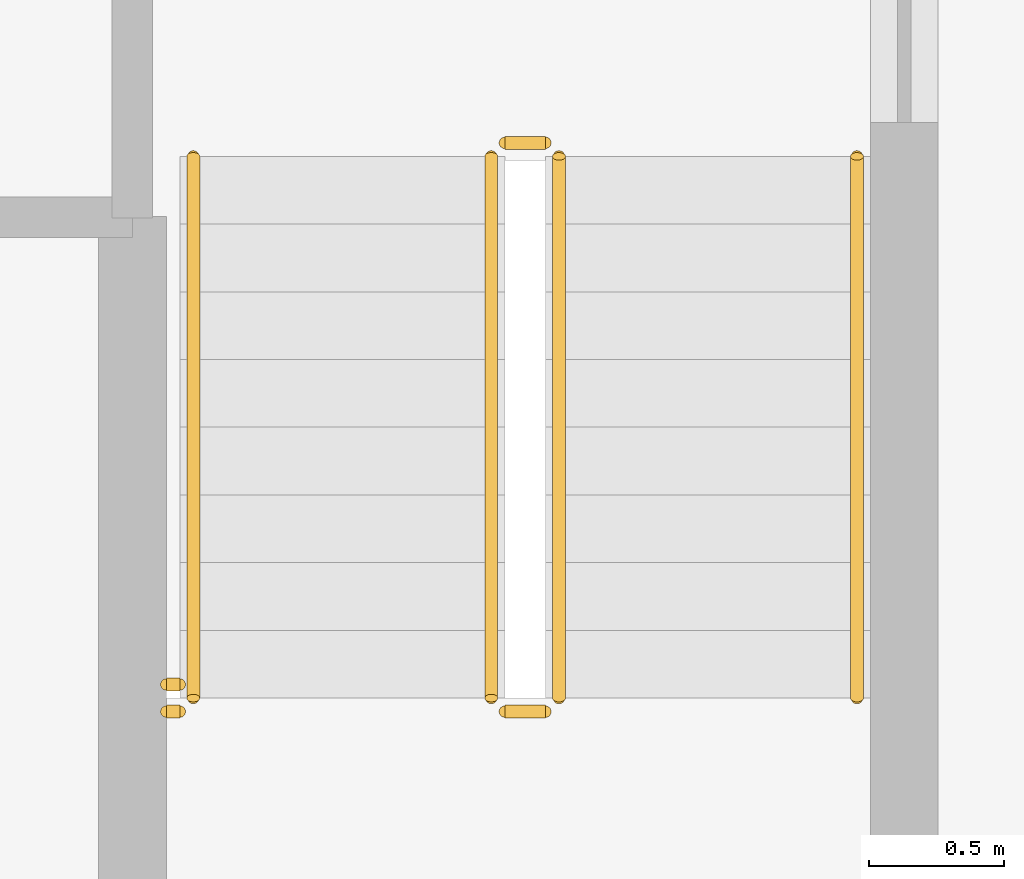
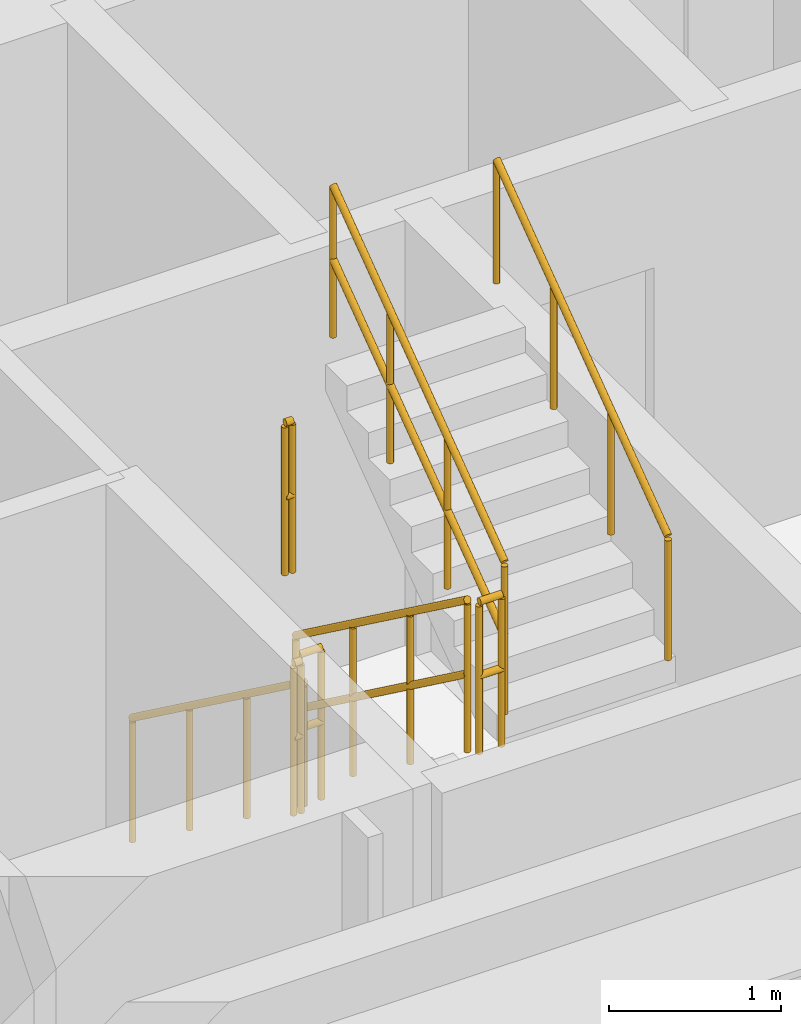
# One storey, part 14 of 16: 8 railings.
"""IFC4 building model written with IfcOpenShell, lengths in metres."""

from ifc_helpers import new_model, si_unit, direction, frame, origin, origin_2d, place, context, subcontext, project, spatial, circle, extrude, material, type_object, element, save


model = new_model("IFC4")

# Units and contexts
model_context = context("Model", 3, precision=1e-05, world=origin(), true_north=direction((0.0, 1.0)))
body_context = subcontext(model_context, "Body", "Model", "MODEL_VIEW")
ifc_project = project(units=[si_unit("LENGTHUNIT", "METRE"), si_unit("AREAUNIT", "SQUARE_METRE"), si_unit("VOLUMEUNIT", "CUBIC_METRE"), si_unit("PLANEANGLEUNIT", "RADIAN"), si_unit("MASSUNIT", "GRAM", prefix="KILO")], contexts=[model_context])

# Site, building, storey
site_placement = place(None, origin())
site = spatial("IfcSite", under=ifc_project, at=site_placement, CompositionType="ELEMENT")
building_placement = place(site_placement, origin())
building = spatial("IfcBuilding", under=site, at=building_placement, Name="Nakaniwa Court", CompositionType="ELEMENT")
storey_placement = place(building_placement, frame((0.0, 0.0, 193.199951171875)))
storey = spatial("IfcBuildingStorey", under=building, at=storey_placement, Name="L50", CompositionType="ELEMENT", Elevation=193.199951171875)

# Railings
ifc_material_1 = material(Name="Black powder coated steel guard", Category="steel")
railing_type_1 = type_object("IfcRailingType", Name="Stair guard 1100", PredefinedType="GUARDRAIL", material=ifc_material_1)
railing_1_placement = place(storey_placement, frame((81.875, 61.824951171875, 0.183349609375)))
element("IfcRailing", 1, at=railing_1_placement, inside=storey, type_object=railing_type_1, Name="L50 ST4 stair guard 1", PredefinedType="GUARDRAIL", context=body_context, shape_type="SweptSolid", body=[
    extrude(circle(Radius=0.02392578125, at=origin_2d()), frame((0.0, 0.0, 1.076171875), z_axis=(0.0, -0.806379959628, 0.591397802423), x_axis=(1.0, 0.0, 0.0)), (0.0, 0.0, 1.0), 2.480224609375),
    extrude(circle(Radius=0.02392578125, at=origin_2d()), frame((0.0, 0.0, 0.550048828125), z_axis=(0.0, -0.806379959628, 0.591397802423), x_axis=(1.0, 0.0, 0.0)), (0.0, 0.0, 1.0), 2.480224609375),
    extrude(circle(Radius=0.02099609375, at=origin_2d()), origin(), (0.0, 0.0, 1.0), 1.052001953125),
    extrude(circle(Radius=0.02099609375, at=origin_2d()), frame((0.0, -0.666748046875, 0.489013671875)), (0.0, 0.0, 1.0), 1.052001953125),
    extrude(circle(Radius=0.02099609375, at=origin_2d()), frame((0.0, -1.333251953125, 0.977783203125)), (0.0, 0.0, 1.0), 1.052001953125),
    extrude(circle(Radius=0.02099609375, at=origin_2d()), frame((0.0, -2.0, 1.466796875)), (0.0, 0.0, 1.0), 1.052001953125),
])
railing_2_placement = place(storey_placement, frame((81.925048828125, 59.77490234375, 1.650146484375)))
element("IfcRailing", 2, at=railing_2_placement, inside=storey, type_object=railing_type_1, Name="L50 ST4 stair guard 2", PredefinedType="GUARDRAIL", context=body_context, shape_type="SweptSolid", body=[
    extrude(circle(Radius=0.02392578125, at=origin_2d()), frame((0.0, 0.0, 1.076171875), z_axis=(1.0, 0.0, 0.0), x_axis=(0.0, 1.0, 0.0)), (0.0, 0.0, 1.0), 0.14990234375),
    extrude(circle(Radius=0.02392578125, at=origin_2d()), frame((0.0, 0.0, 0.550048828125), z_axis=(1.0, 0.0, 0.0), x_axis=(0.0, 1.0, 0.0)), (0.0, 0.0, 1.0), 0.14990234375),
    extrude(circle(Radius=0.02099609375, at=origin_2d()), origin(), (0.0, 0.0, 1.0), 1.052001953125),
    extrude(circle(Radius=0.02099609375, at=origin_2d()), frame((0.14990234375, 0.0, 0.0)), (0.0, 0.0, 1.0), 1.052001953125),
])
railing_3_placement = place(storey_placement, frame((82.125, 59.824951171875, 1.83349609375)))
element("IfcRailing", 3, at=railing_3_placement, inside=storey, type_object=railing_type_1, Name="L50 ST4 stair guard 3", PredefinedType="GUARDRAIL", context=body_context, shape_type="SweptSolid", body=[
    extrude(circle(Radius=0.02392578125, at=origin_2d()), frame((0.0, 0.0, 1.076171875), z_axis=(0.0, 0.806426902644, 0.591333789573), x_axis=(-1.0, 0.0, 0.0)), (0.0, 0.0, 1.0), 2.47998046875),
    extrude(circle(Radius=0.02392578125, at=origin_2d()), frame((0.0, 0.0, 0.550048828125), z_axis=(0.0, 0.806426902644, 0.591333789573), x_axis=(-1.0, 0.0, 0.0)), (0.0, 0.0, 1.0), 2.47998046875),
    extrude(circle(Radius=0.02099609375, at=origin_2d()), origin(), (0.0, 0.0, 1.0), 1.052001953125),
    extrude(circle(Radius=0.02099609375, at=origin_2d()), frame((0.0, 0.666748046875, 0.48876953125)), (0.0, 0.0, 1.0), 1.052001953125),
    extrude(circle(Radius=0.02099609375, at=origin_2d()), frame((0.0, 1.333251953125, 0.977783203125)), (0.0, 0.0, 1.0), 1.052001953125),
    extrude(circle(Radius=0.02099609375, at=origin_2d()), frame((0.0, 2.0, 1.466552734375)), (0.0, 0.0, 1.0), 1.052001953125),
])
railing_4_placement = place(storey_placement, frame((81.925048828125, 61.875, 0.0)))
element("IfcRailing", 4, at=railing_4_placement, inside=storey, type_object=railing_type_1, Name="L50 ST4 stair guard 4", PredefinedType="GUARDRAIL", context=body_context, shape_type="SweptSolid", body=[
    extrude(circle(Radius=0.02392578125, at=origin_2d()), frame((0.0, 0.0, 1.076171875), z_axis=(1.0, 0.0, 0.0), x_axis=(0.0, 1.0, 0.0)), (0.0, 0.0, 1.0), 0.14990234375),
    extrude(circle(Radius=0.02392578125, at=origin_2d()), frame((0.0, 0.0, 0.550048828125), z_axis=(1.0, 0.0, 0.0), x_axis=(0.0, 1.0, 0.0)), (0.0, 0.0, 1.0), 0.14990234375),
    extrude(circle(Radius=0.02099609375, at=origin_2d()), origin(), (0.0, 0.0, 1.0), 1.052001953125),
    extrude(circle(Radius=0.02099609375, at=origin_2d()), frame((0.14990234375, 0.0, 0.0)), (0.0, 0.0, 1.0), 1.052001953125),
])
for number, where, name in (
    (5, (80.675048828125, 59.77490234375, 1.650146484375), "L50 ST4 landing side guard 1W"),
    (6, (80.675048828125, 59.875, 3.300048828125), "L50 ST4 floor edge guard 1W"),
):
    element("IfcRailing", number, at=place(storey_placement, frame(where)), inside=storey, type_object=railing_type_1, Name=name, PredefinedType="GUARDRAIL", context=body_context, shape_type="SweptSolid", body=[
        extrude(circle(Radius=0.02392578125, at=origin_2d()), frame((0.0, 0.0, 1.076171875), z_axis=(1.0, 0.0, 0.0), x_axis=(0.0, 1.0, 0.0)), (0.0, 0.0, 1.0), 0.050048828125),
        extrude(circle(Radius=0.02392578125, at=origin_2d()), frame((0.0, 0.0, 0.550048828125), z_axis=(1.0, 0.0, 0.0), x_axis=(0.0, 1.0, 0.0)), (0.0, 0.0, 1.0), 0.050048828125),
        extrude(circle(Radius=0.02099609375, at=origin_2d()), origin(), (0.0, 0.0, 1.0), 1.052001953125),
        extrude(circle(Radius=0.02099609375, at=origin_2d()), frame((0.050048828125, 0.0, 0.0)), (0.0, 0.0, 1.0), 1.052001953125),
    ])
ifc_material_2 = material(Name="Black powder coated steel handrail", Category="steel")
railing_type_2 = type_object("IfcRailingType", Name="Stair handrail 900", PredefinedType="HANDRAIL", material=ifc_material_2)
railing_5_placement = place(storey_placement, frame((80.77490234375, 61.824951171875, 0.183349609375)))
element("IfcRailing", 7, at=railing_5_placement, inside=storey, type_object=railing_type_2, Name="L50 ST4 stair handrail 1", PredefinedType="HANDRAIL", context=body_context, shape_type="SweptSolid", body=[
    extrude(circle(Radius=0.02392578125, at=origin_2d()), frame((0.0, 0.0, 0.8759765625), z_axis=(0.0, -0.806379959628, 0.591397802423), x_axis=(1.0, 0.0, 0.0)), (0.0, 0.0, 1.0), 2.480224609375),
    extrude(circle(Radius=0.02099609375, at=origin_2d()), origin(), (0.0, 0.0, 1.0), 0.851806640625),
    extrude(circle(Radius=0.02099609375, at=origin_2d()), frame((0.0, -0.666748046875, 0.489013671875)), (0.0, 0.0, 1.0), 0.851806640625),
    extrude(circle(Radius=0.02099609375, at=origin_2d()), frame((0.0, -1.333251953125, 0.977783203125)), (0.0, 0.0, 1.0), 0.851806640625),
    extrude(circle(Radius=0.02099609375, at=origin_2d()), frame((0.0, -2.0, 1.466796875)), (0.0, 0.0, 1.0), 0.851806640625),
])
railing_6_placement = place(storey_placement, frame((83.22509765625, 59.824951171875, 1.83349609375)))
element("IfcRailing", 8, at=railing_6_placement, inside=storey, type_object=railing_type_2, Name="L50 ST4 stair handrail 2", PredefinedType="HANDRAIL", context=body_context, shape_type="SweptSolid", body=[
    extrude(circle(Radius=0.02392578125, at=origin_2d()), frame((0.0, 0.0, 0.8759765625), z_axis=(0.0, 0.806426902644, 0.591333789573), x_axis=(-1.0, 0.0, 0.0)), (0.0, 0.0, 1.0), 2.47998046875),
    extrude(circle(Radius=0.02099609375, at=origin_2d()), origin(), (0.0, 0.0, 1.0), 0.851806640625),
    extrude(circle(Radius=0.02099609375, at=origin_2d()), frame((0.0, 0.666748046875, 0.48876953125)), (0.0, 0.0, 1.0), 0.851806640625),
    extrude(circle(Radius=0.02099609375, at=origin_2d()), frame((0.0, 1.333251953125, 0.977783203125)), (0.0, 0.0, 1.0), 0.851806640625),
    extrude(circle(Radius=0.02099609375, at=origin_2d()), frame((0.0, 2.0, 1.466552734375)), (0.0, 0.0, 1.0), 0.851806640625),
])

save(model, "model.ifc")
